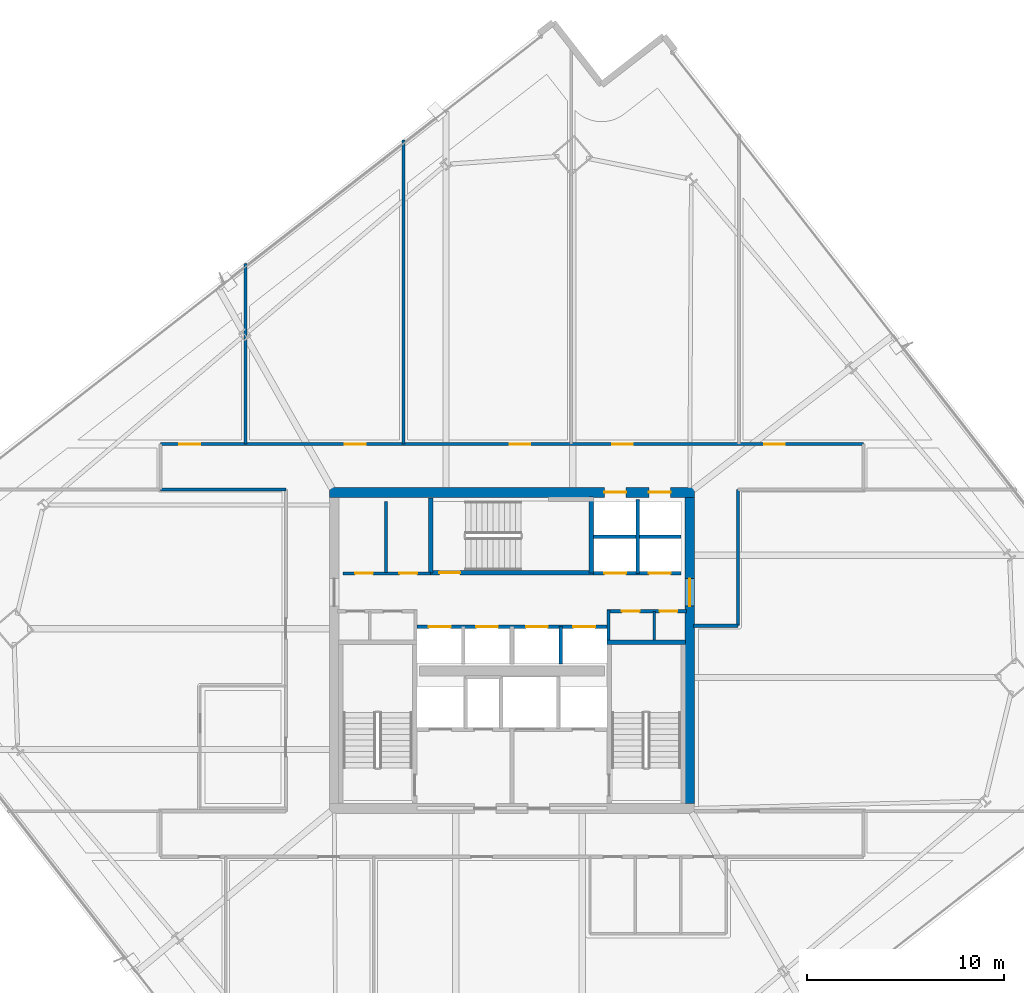
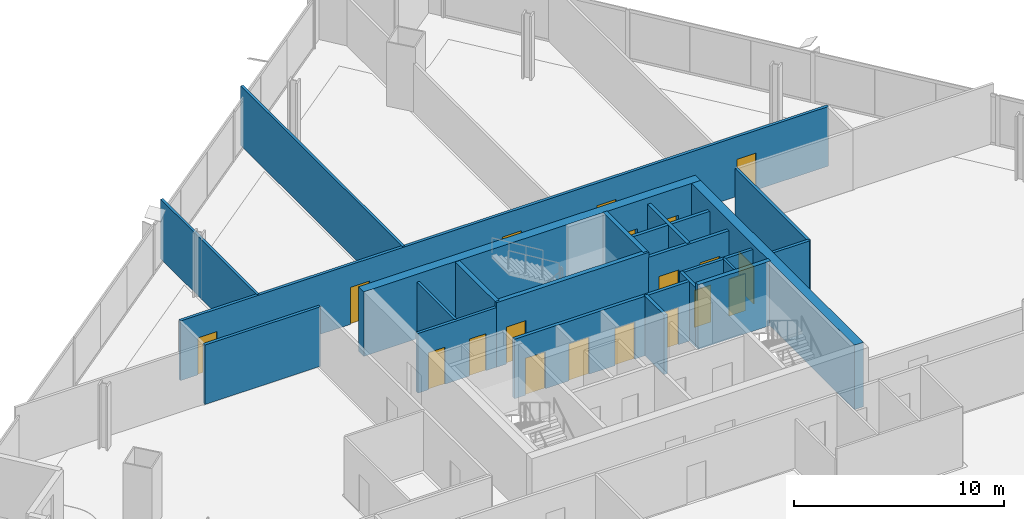
# One storey, part 26 of 32: 22 walls, 19 doors, 19 openings.
"""IFC4 building model written with IfcOpenShell, lengths in metres."""

from ifc_helpers import new_model, si_unit, direction, frame, frame_2d, origin, place, context, subcontext, project, spatial, rectangle, extrude, material, layer, layer_set, type_object, element, fill, save


model = new_model("IFC4")

# Units and contexts
model_context = context("Model", 3, precision=1e-05, world=origin(), true_north=direction((0.0, 1.0)))
body_context = subcontext(model_context, "Body", "Model", "MODEL_VIEW")
ifc_project = project(units=[si_unit("LENGTHUNIT", "METRE"), si_unit("AREAUNIT", "SQUARE_METRE"), si_unit("VOLUMEUNIT", "CUBIC_METRE"), si_unit("PLANEANGLEUNIT", "RADIAN"), si_unit("MASSUNIT", "GRAM", prefix="KILO")], contexts=[model_context])

# Site, building, storey
site_placement = place(None, origin())
site = spatial("IfcSite", under=ifc_project, at=site_placement, CompositionType="ELEMENT")
building_placement = place(site_placement, origin())
building = spatial("IfcBuilding", under=site, at=building_placement, Name="Haldenkirk Collegiate Tower", CompositionType="ELEMENT")
storey_placement = place(building_placement, frame((0.0, 0.0, 155.699951171875)))
storey = spatial("IfcBuildingStorey", under=building, at=storey_placement, Name="L38", CompositionType="ELEMENT", Elevation=155.699951171875)

# Wall, openings, doors
ifc_material_1 = material(Name="Concrete f'c 55 MPa", Category="concrete")
ifc_layer_1 = layer(ifc_material_1, 0.5)
ifc_layer_set_1 = layer_set([ifc_layer_1], Name="Concrete f'c 55 MPa")
wall_type_1 = type_object("IfcWallType", Name="WL-CORE-500", PredefinedType="SHEAR", material=ifc_layer_set_1)
wall_1_placement = place(storey_placement, frame((26.75, 34.0, 0.0), z_axis=(0.0, 0.0, 1.0), x_axis=(1.0, 0.0, 0.0)))
wall_1 = element("IfcWall", 1, at=wall_1_placement, inside=storey, type_object=wall_type_1, Name="L38 central core shear wall N", PredefinedType="SHEAR", context=body_context, shape_type="SweptSolid", body=[
    extrude(rectangle(XDim=18.5, YDim=0.5, at=frame_2d((9.25, 0.0))), origin(), (0.0, 0.0, 1.0), 3.75),
])
opening_1_placement = place(wall_1_placement, frame((13.93505859375, 0.0, 0.0)))
opening_1 = element("IfcOpeningElement", 2, at=opening_1_placement, cuts=wall_1, Name="Opening LD-11", PredefinedType="OPENING", context=body_context, shape_type="SweptSolid", body=[
    extrude(rectangle(XDim=1.10009765625, YDim=2.14990234375, at=frame_2d((0.550048828125, 1.074951171875))), frame((0.0, 0.260009765625, 0.0), z_axis=(0.0, -1.0, 0.0), x_axis=(1.0, 0.0, 0.0)), (0.0, 0.0, 1.0), 0.52001953125),
])
opening_2_placement = place(wall_1_placement, frame((16.18505859375, 0.0, 0.0)))
opening_2 = element("IfcOpeningElement", 3, at=opening_2_placement, cuts=wall_1, Name="Opening LD-11", PredefinedType="OPENING", context=body_context, shape_type="SweptSolid", body=[
    extrude(rectangle(XDim=1.10009765625, YDim=2.14990234375, at=frame_2d((0.550048828125, 1.074951171875))), frame((0.0, 0.260009765625, 0.0), z_axis=(0.0, -1.0, 0.0), x_axis=(1.0, 0.0, 0.0)), (0.0, 0.0, 1.0), 0.52001953125),
])
ifc_material_2 = material(Name="Brushed architectural stainless steel", Category="steel")
ifc_layer_2 = layer(ifc_material_2, 0.06005859375)
ifc_layer_set_2 = layer_set([ifc_layer_2], Name="Brushed architectural stainless steel")
door_type_1 = type_object("IfcDoorType", Name="LD-PASS-1100", OperationType="NOTDEFINED", PredefinedType="DOOR", material=ifc_layer_set_2)
door_1_placement = place(opening_1_placement, origin())
door_1 = element("IfcDoor", 4, at=door_1_placement, inside=storey, type_object=door_type_1, Name="L38 Elevator PM3 sliding landing door", OperationType="SLIDING_TO_LEFT", OverallHeight=2.14990234375, OverallWidth=1.10009765625, PredefinedType="DOOR", context=body_context, shape_type="SweptSolid", body=[
    extrude(rectangle(XDim=1.10009765625, YDim=2.14990234375, at=frame_2d((0.550048828125, 1.074951171875))), frame((0.0, 0.02490234375, 0.0), z_axis=(0.0, -1.0, 0.0), x_axis=(1.0, 0.0, 0.0)), (0.0, 0.0, 1.0), 0.050048828125),
])
fill(opening_1, door_1)
door_2_placement = place(opening_2_placement, origin())
door_2 = element("IfcDoor", 5, at=door_2_placement, inside=storey, type_object=door_type_1, Name="L38 Elevator PM4 sliding landing door", OperationType="SLIDING_TO_LEFT", OverallHeight=2.14990234375, OverallWidth=1.10009765625, PredefinedType="DOOR", context=body_context, shape_type="SweptSolid", body=[
    extrude(rectangle(XDim=1.10009765625, YDim=2.14990234375, at=frame_2d((0.550048828125, 1.074951171875))), frame((0.0, 0.02490234375, 0.0), z_axis=(0.0, -1.0, 0.0), x_axis=(1.0, 0.0, 0.0)), (0.0, 0.0, 1.0), 0.050048828125),
])
fill(opening_2, door_2)

# Wall, opening, door
wall_2_placement = place(storey_placement, frame((45.0, 18.25, 0.0), z_axis=(0.0, 0.0, 1.0), x_axis=(0.0, 1.0, 0.0)))
wall_2 = element("IfcWall", 6, at=wall_2_placement, inside=storey, type_object=wall_type_1, Name="L38 central core shear wall E", PredefinedType="SHEAR", context=body_context, shape_type="SweptSolid", body=[
    extrude(rectangle(XDim=15.5, YDim=0.5, at=frame_2d((7.75, 0.0))), origin(), (0.0, 0.0, 1.0), 3.75),
])
opening_3_placement = place(wall_2_placement, frame((9.989990234375, 0.0, 0.0)))
opening_3 = element("IfcOpeningElement", 7, at=opening_3_placement, cuts=wall_2, Name="Opening D-03", PredefinedType="OPENING", context=body_context, shape_type="SweptSolid", body=[
    extrude(rectangle(XDim=1.39990234375, YDim=2.199951171875, at=frame_2d((0.699951171875, 1.10009765625))), frame((0.0, 0.260009765625, 0.0), z_axis=(0.0, -1.0, 0.0), x_axis=(1.0, 0.0, 0.0)), (0.0, 0.0, 1.0), 0.52001953125),
])
ifc_material_3 = material(Name="Galvanized fire-rated hollow steel door", Category="steel")
ifc_layer_3 = layer(ifc_material_3, 0.06005859375)
ifc_layer_set_3 = layer_set([ifc_layer_3], Name="Galvanized fire-rated hollow steel door")
door_type_2 = type_object("IfcDoorType", Name="DR-LOBBY-FD90-1400", OperationType="NOTDEFINED", PredefinedType="DOOR", material=ifc_layer_set_3)
door_3_placement = place(opening_3_placement, origin())
door_3 = element("IfcDoor", 8, at=door_3_placement, inside=storey, type_object=door_type_2, Name="L38 east lift lobby portal", OperationType="DOUBLE_DOOR_SINGLE_SWING", OverallHeight=2.199951171875, OverallWidth=1.39990234375, PredefinedType="DOOR", context=body_context, shape_type="SweptSolid", body=[
    extrude(rectangle(XDim=1.39990234375, YDim=2.199951171875, at=frame_2d((0.699951171875, 1.10009765625))), frame((0.0, 0.02490234375, 0.0), z_axis=(0.0, -1.0, 0.0), x_axis=(1.0, 0.0, 0.0)), (0.0, 0.0, 1.0), 0.050048828125),
])
fill(opening_3, door_3)

# Wall, openings, doors
ifc_material_4 = material(Name="Acoustic fire-rated gypsum partition", Category="concrete")
ifc_layer_4 = layer(ifc_material_4, 0.159912109375)
ifc_layer_set_4 = layer_set([ifc_layer_4], Name="Acoustic fire-rated gypsum partition")
wall_type_2 = type_object("IfcWallType", Name="WL-INT-CORR-160", PredefinedType="PARTITIONING", material=ifc_layer_set_4)
wall_3_placement = place(storey_placement, frame((40.800048828125, 27.97998046875, 0.0), z_axis=(0.0, 0.0, 1.0), x_axis=(1.0, 0.0, 0.0)))
wall_3 = element("IfcWall", 9, at=wall_3_placement, inside=storey, type_object=wall_type_2, Name="L38 interior partition IW-L38-VCSE-N", PredefinedType="PARTITIONING", context=body_context, shape_type="SweptSolid", body=[
    extrude(rectangle(XDim=4.050048828125, YDim=0.159912109375, at=frame_2d((2.02490234375, 0.0))), origin(), (0.0, 0.0, 1.0), 3.4599609375),
])
opening_4_placement = place(wall_3_placement, frame((0.77001953125, 0.0, 0.0)))
opening_4 = element("IfcOpeningElement", 10, at=opening_4_placement, cuts=wall_3, Name="Opening D-11", PredefinedType="OPENING", context=body_context, shape_type="SweptSolid", body=[
    extrude(rectangle(XDim=0.89990234375, YDim=2.14990234375, at=frame_2d((0.449951171875, 1.074951171875))), frame((0.0, 0.08984375, 0.0), z_axis=(0.0, -1.0, 0.0), x_axis=(1.0, 0.0, 0.0)), (0.0, 0.0, 1.0), 0.179931640625),
])
opening_5_placement = place(wall_3_placement, frame((2.679931640625, 0.0, 0.0)))
opening_5 = element("IfcOpeningElement", 11, at=opening_5_placement, cuts=wall_3, Name="Opening D-11", PredefinedType="OPENING", context=body_context, shape_type="SweptSolid", body=[
    extrude(rectangle(XDim=0.89990234375, YDim=2.14990234375, at=frame_2d((0.449951171875, 1.074951171875))), frame((0.0, 0.08984375, 0.0), z_axis=(0.0, -1.0, 0.0), x_axis=(1.0, 0.0, 0.0)), (0.0, 0.0, 1.0), 0.179931640625),
])
ifc_material_5 = material(Name="Solid-core architectural oak fire door", Category="wood")
ifc_layer_5 = layer(ifc_material_5, 0.06005859375)
ifc_layer_set_5 = layer_set([ifc_layer_5], Name="Solid-core architectural oak fire door")
door_type_3 = type_object("IfcDoorType", Name="DR-INT-FD60-900", OperationType="NOTDEFINED", PredefinedType="DOOR", material=ifc_layer_set_5)
door_4_placement = place(opening_4_placement, origin())
door_4 = element("IfcDoor", 12, at=door_4_placement, inside=storey, type_object=door_type_3, Name="L38 core archive door", OperationType="SINGLE_SWING_RIGHT", OverallHeight=2.14990234375, OverallWidth=0.89990234375, PredefinedType="DOOR", context=body_context, shape_type="SweptSolid", body=[
    extrude(rectangle(XDim=0.89990234375, YDim=2.14990234375, at=frame_2d((0.449951171875, 1.074951171875))), frame((0.0, 0.02490234375, 0.0), z_axis=(0.0, -1.0, 0.0), x_axis=(1.0, 0.0, 0.0)), (0.0, 0.0, 1.0), 0.050048828125),
])
fill(opening_4, door_4)
door_5_placement = place(opening_5_placement, origin())
door_5 = element("IfcDoor", 13, at=door_5_placement, inside=storey, type_object=door_type_3, Name="L38 core telecom door", OperationType="SINGLE_SWING_LEFT", OverallHeight=2.14990234375, OverallWidth=0.89990234375, PredefinedType="DOOR", context=body_context, shape_type="SweptSolid", body=[
    extrude(rectangle(XDim=0.89990234375, YDim=2.14990234375, at=frame_2d((0.449951171875, 1.074951171875))), frame((0.0, 0.02490234375, 0.0), z_axis=(0.0, -1.0, 0.0), x_axis=(1.0, 0.0, 0.0)), (0.0, 0.0, 1.0), 0.050048828125),
])
fill(opening_5, door_5)

# Wall
wall_4_placement = place(storey_placement, frame((40.8798828125, 26.5400390625, 0.0), z_axis=(0.0, 0.0, 1.0), x_axis=(0.0, 1.0, 0.0)))
element("IfcWall", 14, at=wall_4_placement, inside=storey, type_object=wall_type_2, Name="L38 interior partition IW-L38-VCSE-W", PredefinedType="PARTITIONING", context=body_context, shape_type="SweptSolid", body=[
    extrude(rectangle(XDim=1.510009765625, YDim=0.159912109375, at=frame_2d((0.7548828125, 0.0))), origin(), (0.0, 0.0, 1.0), 3.4599609375),
])

# Wall, openings, doors
wall_5_placement = place(storey_placement, frame((27.449951171875, 29.89990234375, 0.0), z_axis=(0.0, 0.0, 1.0), x_axis=(1.0, 0.0, 0.0)))
wall_5 = element("IfcWall", 15, at=wall_5_placement, inside=storey, type_object=wall_type_2, Name="L38 interior partition IW-L38-PLS", PredefinedType="PARTITIONING", context=body_context, shape_type="SweptSolid", body=[
    extrude(rectangle(XDim=4.429931640625, YDim=0.159912109375, at=frame_2d((2.21484375, 0.0))), origin(), (0.0, 0.0, 1.0), 3.4599609375),
])
opening_6_placement = place(wall_5_placement, frame((0.60009765625, 0.0, 0.0)))
opening_6 = element("IfcOpeningElement", 16, at=opening_6_placement, cuts=wall_5, Name="Opening D-11", PredefinedType="OPENING", context=body_context, shape_type="SweptSolid", body=[
    extrude(rectangle(XDim=0.89990234375, YDim=2.14990234375, at=frame_2d((0.449951171875, 1.074951171875))), frame((0.0, 0.08984375, 0.0), z_axis=(0.0, -1.0, 0.0), x_axis=(1.0, 0.0, 0.0)), (0.0, 0.0, 1.0), 0.179931640625),
])
opening_7_placement = place(wall_5_placement, frame((2.85009765625, 0.0, 0.0)))
opening_7 = element("IfcOpeningElement", 17, at=opening_7_placement, cuts=wall_5, Name="Opening D-11", PredefinedType="OPENING", context=body_context, shape_type="SweptSolid", body=[
    extrude(rectangle(XDim=0.89990234375, YDim=2.14990234375, at=frame_2d((0.449951171875, 1.074951171875))), frame((0.0, 0.08984375, 0.0), z_axis=(0.0, -1.0, 0.0), x_axis=(1.0, 0.0, 0.0)), (0.0, 0.0, 1.0), 0.179931640625),
])
door_6_placement = place(opening_6_placement, origin())
door_6 = element("IfcDoor", 18, at=door_6_placement, inside=storey, type_object=door_type_3, Name="L38 tea kitchen door", OperationType="SINGLE_SWING_RIGHT", OverallHeight=2.14990234375, OverallWidth=0.89990234375, PredefinedType="DOOR", context=body_context, shape_type="SweptSolid", body=[
    extrude(rectangle(XDim=0.89990234375, YDim=2.14990234375, at=frame_2d((0.449951171875, 1.074951171875))), frame((0.0, 0.02490234375, 0.0), z_axis=(0.0, -1.0, 0.0), x_axis=(1.0, 0.0, 0.0)), (0.0, 0.0, 1.0), 0.050048828125),
])
fill(opening_6, door_6)
door_7_placement = place(opening_7_placement, origin())
door_7 = element("IfcDoor", 19, at=door_7_placement, inside=storey, type_object=door_type_3, Name="L38 IT room door", OperationType="SINGLE_SWING_LEFT", OverallHeight=2.14990234375, OverallWidth=0.89990234375, PredefinedType="DOOR", context=body_context, shape_type="SweptSolid", body=[
    extrude(rectangle(XDim=0.89990234375, YDim=2.14990234375, at=frame_2d((0.449951171875, 1.074951171875))), frame((0.0, 0.02490234375, 0.0), z_axis=(0.0, -1.0, 0.0), x_axis=(1.0, 0.0, 0.0)), (0.0, 0.0, 1.0), 0.050048828125),
])
fill(opening_7, door_7)

wall_6_placement = place(storey_placement, frame((18.199951171875, 36.449951171875, 0.0), z_axis=(0.0, 0.0, 1.0), x_axis=(1.0, 0.0, 0.0)))
wall_6 = element("IfcWall", 20, at=wall_6_placement, inside=storey, type_object=wall_type_2, Name="L38 interior partition IW-L38-CN", PredefinedType="PARTITIONING", context=body_context, shape_type="SweptSolid", body=[
    extrude(rectangle(XDim=35.60009765625, YDim=0.159912109375, at=frame_2d((17.800048828125, 0.0))), origin(), (0.0, 0.0, 1.0), 3.4599609375),
])
opening_8_placement = place(wall_6_placement, frame((0.95703125, 0.0, 0.0)))
opening_8 = element("IfcOpeningElement", 21, at=opening_8_placement, cuts=wall_6, Name="Opening D-09", PredefinedType="OPENING", context=body_context, shape_type="SweptSolid", body=[
    extrude(rectangle(XDim=1.050048828125, YDim=2.14990234375, at=frame_2d((0.52490234375, 1.074951171875))), frame((0.0, 0.08984375, 0.0), z_axis=(0.0, -1.0, 0.0), x_axis=(1.0, 0.0, 0.0)), (0.0, 0.0, 1.0), 0.179931640625),
])
opening_9_placement = place(wall_6_placement, frame((9.3349609375, 0.0, 0.0)))
opening_9 = element("IfcOpeningElement", 22, at=opening_9_placement, cuts=wall_6, Name="Opening D-09", PredefinedType="OPENING", context=body_context, shape_type="SweptSolid", body=[
    extrude(rectangle(XDim=1.050048828125, YDim=2.14990234375, at=frame_2d((0.52490234375, 1.074951171875))), frame((0.0, 0.08984375, 0.0), z_axis=(0.0, -1.0, 0.0), x_axis=(1.0, 0.0, 0.0)), (0.0, 0.0, 1.0), 0.179931640625),
])
opening_10_placement = place(wall_6_placement, frame((17.675048828125, 0.0, 0.0)))
opening_10 = element("IfcOpeningElement", 23, at=opening_10_placement, cuts=wall_6, Name="Opening D-09", PredefinedType="OPENING", context=body_context, shape_type="SweptSolid", body=[
    extrude(rectangle(XDim=1.050048828125, YDim=2.14990234375, at=frame_2d((0.52490234375, 1.074951171875))), frame((0.0, 0.08984375, 0.0), z_axis=(0.0, -1.0, 0.0), x_axis=(1.0, 0.0, 0.0)), (0.0, 0.0, 1.0), 0.179931640625),
])
opening_11_placement = place(wall_6_placement, frame((22.875, 0.0, 0.0)))
opening_11 = element("IfcOpeningElement", 24, at=opening_11_placement, cuts=wall_6, Name="Opening D-09", PredefinedType="OPENING", context=body_context, shape_type="SweptSolid", body=[
    extrude(rectangle(XDim=1.050048828125, YDim=2.14990234375, at=frame_2d((0.52490234375, 1.074951171875))), frame((0.0, 0.08984375, 0.0), z_axis=(0.0, -1.0, 0.0), x_axis=(1.0, 0.0, 0.0)), (0.0, 0.0, 1.0), 0.179931640625),
])
opening_12_placement = place(wall_6_placement, frame((30.56494140625, 0.0, 0.0)))
opening_12 = element("IfcOpeningElement", 25, at=opening_12_placement, cuts=wall_6, Name="Opening D-09", PredefinedType="OPENING", context=body_context, shape_type="SweptSolid", body=[
    extrude(rectangle(XDim=1.050048828125, YDim=2.14990234375, at=frame_2d((0.52490234375, 1.074951171875))), frame((0.0, 0.08984375, 0.0), z_axis=(0.0, -1.0, 0.0), x_axis=(1.0, 0.0, 0.0)), (0.0, 0.0, 1.0), 0.179931640625),
])
ifc_layer_6 = layer(ifc_material_5, 0.06005859375)
ifc_layer_set_6 = layer_set([ifc_layer_6], Name="Solid-core architectural oak fire door")
door_type_4 = type_object("IfcDoorType", Name="DR-INT-FD60-1050", OperationType="NOTDEFINED", PredefinedType="DOOR", material=ifc_layer_set_6)
door_8_placement = place(opening_8_placement, origin())
door_8 = element("IfcDoor", 26, at=door_8_placement, inside=storey, type_object=door_type_4, Name="L38 Graduate Seminar Room 4 door", OperationType="SINGLE_SWING_RIGHT", OverallHeight=2.14990234375, OverallWidth=1.050048828125, PredefinedType="DOOR", context=body_context, shape_type="SweptSolid", body=[
    extrude(rectangle(XDim=1.050048828125, YDim=2.14990234375, at=frame_2d((0.52490234375, 1.074951171875))), frame((0.0, 0.02490234375, 0.0), z_axis=(0.0, -1.0, 0.0), x_axis=(1.0, 0.0, 0.0)), (0.0, 0.0, 1.0), 0.050048828125),
])
fill(opening_8, door_8)
door_9_placement = place(opening_9_placement, origin())
door_9 = element("IfcDoor", 27, at=door_9_placement, inside=storey, type_object=door_type_4, Name="L38 Moot Court Seminar Room 5 door", OperationType="SINGLE_SWING_LEFT", OverallHeight=2.14990234375, OverallWidth=1.050048828125, PredefinedType="DOOR", context=body_context, shape_type="SweptSolid", body=[
    extrude(rectangle(XDim=1.050048828125, YDim=2.14990234375, at=frame_2d((0.52490234375, 1.074951171875))), frame((0.0, 0.02490234375, 0.0), z_axis=(0.0, -1.0, 0.0), x_axis=(1.0, 0.0, 0.0)), (0.0, 0.0, 1.0), 0.050048828125),
])
fill(opening_9, door_9)
door_10_placement = place(opening_10_placement, origin())
door_10 = element("IfcDoor", 28, at=door_10_placement, inside=storey, type_object=door_type_4, Name="L38 Conference Room 6 door", OperationType="SINGLE_SWING_RIGHT", OverallHeight=2.14990234375, OverallWidth=1.050048828125, PredefinedType="DOOR", context=body_context, shape_type="SweptSolid", body=[
    extrude(rectangle(XDim=1.050048828125, YDim=2.14990234375, at=frame_2d((0.52490234375, 1.074951171875))), frame((0.0, 0.02490234375, 0.0), z_axis=(0.0, -1.0, 0.0), x_axis=(1.0, 0.0, 0.0)), (0.0, 0.0, 1.0), 0.050048828125),
])
fill(opening_10, door_10)
door_11_placement = place(opening_11_placement, origin())
door_11 = element("IfcDoor", 29, at=door_11_placement, inside=storey, type_object=door_type_4, Name="L38 Student Wellness Clinic 7 door", OperationType="SINGLE_SWING_LEFT", OverallHeight=2.14990234375, OverallWidth=1.050048828125, PredefinedType="DOOR", context=body_context, shape_type="SweptSolid", body=[
    extrude(rectangle(XDim=1.050048828125, YDim=2.14990234375, at=frame_2d((0.52490234375, 1.074951171875))), frame((0.0, 0.02490234375, 0.0), z_axis=(0.0, -1.0, 0.0), x_axis=(1.0, 0.0, 0.0)), (0.0, 0.0, 1.0), 0.050048828125),
])
fill(opening_11, door_11)
door_12_placement = place(opening_12_placement, origin())
door_12 = element("IfcDoor", 30, at=door_12_placement, inside=storey, type_object=door_type_4, Name="L38 Academic Counseling Clinic 8 door", OperationType="SINGLE_SWING_RIGHT", OverallHeight=2.14990234375, OverallWidth=1.050048828125, PredefinedType="DOOR", context=body_context, shape_type="SweptSolid", body=[
    extrude(rectangle(XDim=1.050048828125, YDim=2.14990234375, at=frame_2d((0.52490234375, 1.074951171875))), frame((0.0, 0.02490234375, 0.0), z_axis=(0.0, -1.0, 0.0), x_axis=(1.0, 0.0, 0.0)), (0.0, 0.0, 1.0), 0.050048828125),
])
fill(opening_12, door_12)

# Walls
wall_7_placement = place(storey_placement, frame((18.199951171875, 34.14990234375, 0.0), z_axis=(0.0, 0.0, 1.0), x_axis=(1.0, 0.0, 0.0)))
element("IfcWall", 31, at=wall_7_placement, inside=storey, type_object=wall_type_2, Name="L38 interior partition IW-L38-CNW", PredefinedType="PARTITIONING", context=body_context, shape_type="SweptSolid", body=[
    extrude(rectangle(XDim=6.35009765625, YDim=0.159912109375, at=frame_2d((3.175048828125, 0.0))), origin(), (0.0, 0.0, 1.0), 3.4599609375),
])
wall_8_placement = place(storey_placement, frame((47.449951171875, 27.25, 0.0), z_axis=(0.0, 0.0, 1.0), x_axis=(0.0, 1.0, 0.0)))
element("IfcWall", 32, at=wall_8_placement, inside=storey, type_object=wall_type_2, Name="L38 interior partition IW-L38-CE", PredefinedType="PARTITIONING", context=body_context, shape_type="SweptSolid", body=[
    extrude(rectangle(XDim=6.89990234375, YDim=0.159912109375, at=frame_2d((3.449951171875, 0.0))), origin(), (0.0, 0.0, 1.0), 3.4599609375),
])
wall_9_placement = place(storey_placement, frame((45.199951171875, 27.25, 0.0), z_axis=(0.0, 0.0, 1.0), x_axis=(1.0, 0.0, 0.0)))
element("IfcWall", 33, at=wall_9_placement, inside=storey, type_object=wall_type_2, Name="L38 interior partition IW-L38-CES", PredefinedType="PARTITIONING", context=body_context, shape_type="SweptSolid", body=[
    extrude(rectangle(XDim=2.25, YDim=0.159912109375, at=frame_2d((1.125, 0.0))), origin(), (0.0, 0.0, 1.0), 3.4599609375),
])
ifc_layer_7 = layer(ifc_material_4, 0.139892578125)
ifc_layer_set_7 = layer_set([ifc_layer_7], Name="Acoustic fire-rated gypsum partition")
wall_type_3 = type_object("IfcWallType", Name="WL-INT-DIV-140", PredefinedType="PARTITIONING", material=ifc_layer_set_7)
wall_10_placement = place(storey_placement, frame((29.6201171875, 29.949951171875, 0.0), z_axis=(0.0, 0.0, 1.0), x_axis=(0.0, 1.0, 0.0)))
element("IfcWall", 34, at=wall_10_placement, inside=storey, type_object=wall_type_3, Name="L38 interior partition IW-L38-PLDIV", PredefinedType="PARTITIONING", context=body_context, shape_type="SweptSolid", body=[
    extrude(rectangle(XDim=3.60009765625, YDim=0.139892578125, at=frame_2d((1.800048828125, 0.0))), origin(), (0.0, 0.0, 1.0), 3.4599609375),
])
wall_11_placement = place(storey_placement, frame((22.5, 36.449951171875, 0.0), z_axis=(0.0, 0.0, 1.0), x_axis=(0.0, 1.0, 0.0)))
element("IfcWall", 35, at=wall_11_placement, inside=storey, type_object=wall_type_3, Name="L38 interior partition IW-L38-RN1", PredefinedType="PARTITIONING", context=body_context, shape_type="SweptSolid", body=[
    extrude(rectangle(XDim=9.153076171875, YDim=0.139892578125, at=frame_2d((4.57666015625, 0.0))), origin(), (0.0, 0.0, 1.0), 3.4599609375),
])
wall_12_placement = place(storey_placement, frame((30.5, 36.449951171875, 0.0), z_axis=(0.0, 0.0, 1.0), x_axis=(0.0, 1.0, 0.0)))
element("IfcWall", 36, at=wall_12_placement, inside=storey, type_object=wall_type_3, Name="L38 interior partition IW-L38-RN2", PredefinedType="PARTITIONING", context=body_context, shape_type="SweptSolid", body=[
    extrude(rectangle(XDim=15.39208984375, YDim=0.139892578125, at=frame_2d((7.696044921875, 0.0))), origin(), (0.0, 0.0, 1.0), 3.4599609375),
])

# Wall, openings, doors
ifc_material_6 = material(Name="Fire-rated gypsum shaftboard assembly", Category="concrete")
ifc_layer_8 = layer(ifc_material_6, 0.179931640625)
ifc_layer_set_8 = layer_set([ifc_layer_8], Name="Fire-rated gypsum shaftboard assembly")
wall_type_4 = type_object("IfcWallType", Name="WL-INT-SHAFT-180", PredefinedType="PARTITIONING", material=ifc_layer_set_8)
wall_13_placement = place(storey_placement, frame((40.1201171875, 29.89990234375, 0.0), z_axis=(0.0, 0.0, 1.0), x_axis=(1.0, 0.0, 0.0)))
wall_13 = element("IfcWall", 37, at=wall_13_placement, inside=storey, type_object=wall_type_4, Name="L38 interior partition IW-L38-PMS", PredefinedType="PARTITIONING", context=body_context, shape_type="SweptSolid", body=[
    extrude(rectangle(XDim=4.429931640625, YDim=0.179931640625, at=frame_2d((2.21484375, 0.0))), origin(), (0.0, 0.0, 1.0), 3.4599609375),
])
opening_13_placement = place(wall_13_placement, frame((0.56494140625, 0.0, 0.0)))
opening_13 = element("IfcOpeningElement", 38, at=opening_13_placement, cuts=wall_13, Name="Opening LD-11", PredefinedType="OPENING", context=body_context, shape_type="SweptSolid", body=[
    extrude(rectangle(XDim=1.10009765625, YDim=2.14990234375, at=frame_2d((0.550048828125, 1.074951171875))), frame((0.0, 0.099853515625, 0.0), z_axis=(0.0, -1.0, 0.0), x_axis=(1.0, 0.0, 0.0)), (0.0, 0.0, 1.0), 0.199951171875),
])
opening_14_placement = place(wall_13_placement, frame((2.81494140625, 0.0, 0.0)))
opening_14 = element("IfcOpeningElement", 39, at=opening_14_placement, cuts=wall_13, Name="Opening LD-11", PredefinedType="OPENING", context=body_context, shape_type="SweptSolid", body=[
    extrude(rectangle(XDim=1.10009765625, YDim=2.14990234375, at=frame_2d((0.550048828125, 1.074951171875))), frame((0.0, 0.099853515625, 0.0), z_axis=(0.0, -1.0, 0.0), x_axis=(1.0, 0.0, 0.0)), (0.0, 0.0, 1.0), 0.199951171875),
])
door_13_placement = place(opening_13_placement, origin())
door_13 = element("IfcDoor", 40, at=door_13_placement, inside=storey, type_object=door_type_1, Name="L38 Elevator PM1 sliding landing door", OperationType="SLIDING_TO_LEFT", OverallHeight=2.14990234375, OverallWidth=1.10009765625, PredefinedType="DOOR", context=body_context, shape_type="SweptSolid", body=[
    extrude(rectangle(XDim=1.10009765625, YDim=2.14990234375, at=frame_2d((0.550048828125, 1.074951171875))), frame((0.0, 0.02490234375, 0.0), z_axis=(0.0, -1.0, 0.0), x_axis=(1.0, 0.0, 0.0)), (0.0, 0.0, 1.0), 0.050048828125),
])
fill(opening_13, door_13)
door_14_placement = place(opening_14_placement, origin())
door_14 = element("IfcDoor", 41, at=door_14_placement, inside=storey, type_object=door_type_1, Name="L38 Elevator PM2 sliding landing door", OperationType="SLIDING_TO_LEFT", OverallHeight=2.14990234375, OverallWidth=1.10009765625, PredefinedType="DOOR", context=body_context, shape_type="SweptSolid", body=[
    extrude(rectangle(XDim=1.10009765625, YDim=2.14990234375, at=frame_2d((0.550048828125, 1.074951171875))), frame((0.0, 0.02490234375, 0.0), z_axis=(0.0, -1.0, 0.0), x_axis=(1.0, 0.0, 0.0)), (0.0, 0.0, 1.0), 0.050048828125),
])
fill(opening_14, door_14)

# Walls
wall_14_placement = place(storey_placement, frame((40.1201171875, 31.75, 0.0), z_axis=(0.0, 0.0, 1.0), x_axis=(1.0, 0.0, 0.0)))
element("IfcWall", 42, at=wall_14_placement, inside=storey, type_object=wall_type_4, Name="L38 interior partition IW-L38-PMM", PredefinedType="PARTITIONING", context=body_context, shape_type="SweptSolid", body=[
    extrude(rectangle(XDim=4.429931640625, YDim=0.179931640625, at=frame_2d((2.21484375, 0.0))), origin(), (0.0, 0.0, 1.0), 3.4599609375),
])
wall_15_placement = place(storey_placement, frame((42.3701171875, 29.89990234375, 0.0), z_axis=(0.0, 0.0, 1.0), x_axis=(0.0, 1.0, 0.0)))
element("IfcWall", 43, at=wall_15_placement, inside=storey, type_object=wall_type_4, Name="L38 interior partition IW-L38-PMV", PredefinedType="PARTITIONING", context=body_context, shape_type="SweptSolid", body=[
    extrude(rectangle(XDim=3.75, YDim=0.179931640625, at=frame_2d((1.875, 0.0))), origin(), (0.0, 0.0, 1.0), 3.4599609375),
])

# Wall, openings, doors
wall_16_placement = place(storey_placement, frame((31.199951171875, 27.199951171875, 0.0), z_axis=(0.0, 0.0, 1.0), x_axis=(1.0, 0.0, 0.0)))
wall_16 = element("IfcWall", 44, at=wall_16_placement, inside=storey, type_object=wall_type_4, Name="L38 interior partition IW-L38-PHN", PredefinedType="PARTITIONING", context=body_context, shape_type="SweptSolid", body=[
    extrude(rectangle(XDim=9.60009765625, YDim=0.179931640625, at=frame_2d((4.800048828125, 0.0))), origin(), (0.0, 0.0, 1.0), 3.4599609375),
])
opening_15_placement = place(wall_16_placement, frame((0.590087890625, 0.0, 0.0)))
opening_15 = element("IfcOpeningElement", 45, at=opening_15_placement, cuts=wall_16, Name="Opening LD-11", PredefinedType="OPENING", context=body_context, shape_type="SweptSolid", body=[
    extrude(rectangle(XDim=1.10009765625, YDim=2.14990234375, at=frame_2d((0.550048828125, 1.074951171875))), frame((0.0, 0.099853515625, 0.0), z_axis=(0.0, -1.0, 0.0), x_axis=(1.0, 0.0, 0.0)), (0.0, 0.0, 1.0), 0.199951171875),
])
opening_16_placement = place(wall_16_placement, frame((2.989990234375, 0.0, 0.0)))
opening_16 = element("IfcOpeningElement", 46, at=opening_16_placement, cuts=wall_16, Name="Opening LD-11", PredefinedType="OPENING", context=body_context, shape_type="SweptSolid", body=[
    extrude(rectangle(XDim=1.10009765625, YDim=2.14990234375, at=frame_2d((0.550048828125, 1.074951171875))), frame((0.0, 0.099853515625, 0.0), z_axis=(0.0, -1.0, 0.0), x_axis=(1.0, 0.0, 0.0)), (0.0, 0.0, 1.0), 0.199951171875),
])
opening_17_placement = place(wall_16_placement, frame((5.510009765625, 0.0, 0.0)))
opening_17 = element("IfcOpeningElement", 47, at=opening_17_placement, cuts=wall_16, Name="Opening LD-11", PredefinedType="OPENING", context=body_context, shape_type="SweptSolid", body=[
    extrude(rectangle(XDim=1.10009765625, YDim=2.14990234375, at=frame_2d((0.550048828125, 1.074951171875))), frame((0.0, 0.099853515625, 0.0), z_axis=(0.0, -1.0, 0.0), x_axis=(1.0, 0.0, 0.0)), (0.0, 0.0, 1.0), 0.199951171875),
])
opening_18_placement = place(wall_16_placement, frame((7.909912109375, 0.0, 0.0)))
opening_18 = element("IfcOpeningElement", 48, at=opening_18_placement, cuts=wall_16, Name="Opening LD-11", PredefinedType="OPENING", context=body_context, shape_type="SweptSolid", body=[
    extrude(rectangle(XDim=1.10009765625, YDim=2.14990234375, at=frame_2d((0.550048828125, 1.074951171875))), frame((0.0, 0.099853515625, 0.0), z_axis=(0.0, -1.0, 0.0), x_axis=(1.0, 0.0, 0.0)), (0.0, 0.0, 1.0), 0.199951171875),
])
door_15_placement = place(opening_15_placement, origin())
door_15 = element("IfcDoor", 49, at=door_15_placement, inside=storey, type_object=door_type_1, Name="L38 Elevator PH1 sliding landing door", OperationType="SLIDING_TO_LEFT", OverallHeight=2.14990234375, OverallWidth=1.10009765625, PredefinedType="DOOR", context=body_context, shape_type="SweptSolid", body=[
    extrude(rectangle(XDim=1.10009765625, YDim=2.14990234375, at=frame_2d((0.550048828125, 1.074951171875))), frame((0.0, 0.02490234375, 0.0), z_axis=(0.0, -1.0, 0.0), x_axis=(1.0, 0.0, 0.0)), (0.0, 0.0, 1.0), 0.050048828125),
])
fill(opening_15, door_15)
door_16_placement = place(opening_16_placement, origin())
door_16 = element("IfcDoor", 50, at=door_16_placement, inside=storey, type_object=door_type_1, Name="L38 Elevator PH2 sliding landing door", OperationType="SLIDING_TO_LEFT", OverallHeight=2.14990234375, OverallWidth=1.10009765625, PredefinedType="DOOR", context=body_context, shape_type="SweptSolid", body=[
    extrude(rectangle(XDim=1.10009765625, YDim=2.14990234375, at=frame_2d((0.550048828125, 1.074951171875))), frame((0.0, 0.02490234375, 0.0), z_axis=(0.0, -1.0, 0.0), x_axis=(1.0, 0.0, 0.0)), (0.0, 0.0, 1.0), 0.050048828125),
])
fill(opening_16, door_16)
door_17_placement = place(opening_17_placement, origin())
door_17 = element("IfcDoor", 51, at=door_17_placement, inside=storey, type_object=door_type_1, Name="L38 Elevator PH3 sliding landing door", OperationType="SLIDING_TO_LEFT", OverallHeight=2.14990234375, OverallWidth=1.10009765625, PredefinedType="DOOR", context=body_context, shape_type="SweptSolid", body=[
    extrude(rectangle(XDim=1.10009765625, YDim=2.14990234375, at=frame_2d((0.550048828125, 1.074951171875))), frame((0.0, 0.02490234375, 0.0), z_axis=(0.0, -1.0, 0.0), x_axis=(1.0, 0.0, 0.0)), (0.0, 0.0, 1.0), 0.050048828125),
])
fill(opening_17, door_17)
door_18_placement = place(opening_18_placement, origin())
door_18 = element("IfcDoor", 52, at=door_18_placement, inside=storey, type_object=door_type_1, Name="L38 Elevator PH4 sliding landing door", OperationType="SLIDING_TO_LEFT", OverallHeight=2.14990234375, OverallWidth=1.10009765625, PredefinedType="DOOR", context=body_context, shape_type="SweptSolid", body=[
    extrude(rectangle(XDim=1.10009765625, YDim=2.14990234375, at=frame_2d((0.550048828125, 1.074951171875))), frame((0.0, 0.02490234375, 0.0), z_axis=(0.0, -1.0, 0.0), x_axis=(1.0, 0.0, 0.0)), (0.0, 0.0, 1.0), 0.050048828125),
])
fill(opening_18, door_18)

# Walls
wall_17_placement = place(storey_placement, frame((38.4599609375, 25.300048828125, 0.0), z_axis=(0.0, 0.0, 1.0), x_axis=(0.0, 1.0, 0.0)))
element("IfcWall", 53, at=wall_17_placement, inside=storey, type_object=wall_type_4, Name="L38 interior partition IW-L38-PHV3", PredefinedType="PARTITIONING", context=body_context, shape_type="SweptSolid", body=[
    extrude(rectangle(XDim=1.89990234375, YDim=0.179931640625, at=frame_2d((0.949951171875, 0.0))), origin(), (0.0, 0.0, 1.0), 3.4599609375),
])
ifc_layer_9 = layer(ifc_material_4, 0.1201171875)
ifc_layer_set_9 = layer_set([ifc_layer_9], Name="Acoustic fire-rated gypsum partition")
wall_type_5 = type_object("IfcWallType", Name="WL-INT-WET-120", PredefinedType="PARTITIONING", material=ifc_layer_set_9)
wall_18_placement = place(storey_placement, frame((43.199951171875, 26.5400390625, 0.0), z_axis=(0.0, 0.0, 1.0), x_axis=(0.0, 1.0, 0.0)))
element("IfcWall", 54, at=wall_18_placement, inside=storey, type_object=wall_type_5, Name="L38 interior partition IW-L38-VCSE-M", PredefinedType="PARTITIONING", context=body_context, shape_type="SweptSolid", body=[
    extrude(rectangle(XDim=1.43994140625, YDim=0.1201171875, at=frame_2d((0.719970703125, 0.0))), origin(), (0.0, 0.0, 1.0), 3.4599609375),
])
ifc_layer_10 = layer(ifc_material_1, 0.239990234375)
ifc_layer_set_10 = layer_set([ifc_layer_10], Name="Concrete f'c 55 MPa")
wall_type_6 = type_object("IfcWallType", Name="WL-SHAFT-240", PredefinedType="SHEAR", material=ifc_layer_set_10)
wall_19_placement = place(storey_placement, frame((40.81005859375, 26.419921875, 0.0), z_axis=(0.0, 0.0, 1.0), x_axis=(1.0, 0.0, 0.0)))
element("IfcWall", 55, at=wall_19_placement, inside=storey, type_object=wall_type_6, Name="L38 stair shaft shear wall SW-L38-ST2N", PredefinedType="SHEAR", context=body_context, shape_type="SweptSolid", body=[
    extrude(rectangle(XDim=3.97998046875, YDim=0.239990234375, at=frame_2d((1.989990234375, 0.0))), origin(), (0.0, 0.0, 1.0), 3.75),
])

# Wall, opening, door
wall_20_placement = place(storey_placement, frame((31.760009765625, 29.929931640625, 0.0), z_axis=(0.0, 0.0, 1.0), x_axis=(1.0, 0.0, 0.0)))
wall_20 = element("IfcWall", 56, at=wall_20_placement, inside=storey, type_object=wall_type_6, Name="L38 stair shaft shear wall SW-L38-ST3S", PredefinedType="SHEAR", context=body_context, shape_type="SweptSolid", body=[
    extrude(rectangle(XDim=8.3798828125, YDim=0.239990234375, at=frame_2d((4.18994140625, 0.0))), origin(), (0.0, 0.0, 1.0), 3.75),
])
opening_19_placement = place(wall_20_placement, frame((0.56494140625, 0.0, 0.0)))
opening_19 = element("IfcOpeningElement", 57, at=opening_19_placement, cuts=wall_20, Name="Opening D-01", PredefinedType="OPENING", context=body_context, shape_type="SweptSolid", body=[
    extrude(rectangle(XDim=1.050048828125, YDim=2.14990234375, at=frame_2d((0.52490234375, 1.074951171875))), frame((0.0, 0.1298828125, 0.0), z_axis=(0.0, -1.0, 0.0), x_axis=(1.0, 0.0, 0.0)), (0.0, 0.0, 1.0), 0.260009765625),
])
ifc_layer_11 = layer(ifc_material_3, 0.06005859375)
ifc_layer_set_11 = layer_set([ifc_layer_11], Name="Galvanized fire-rated hollow steel door")
door_type_5 = type_object("IfcDoorType", Name="DR-STAIR-FD90-1050", OperationType="NOTDEFINED", PredefinedType="DOOR", material=ifc_layer_set_11)
door_19_placement = place(opening_19_placement, origin())
door_19 = element("IfcDoor", 58, at=door_19_placement, inside=storey, type_object=door_type_5, Name="L38 lift lobby Stair 3 door", OperationType="SINGLE_SWING_RIGHT", OverallHeight=2.14990234375, OverallWidth=1.050048828125, PredefinedType="DOOR", context=body_context, shape_type="SweptSolid", body=[
    extrude(rectangle(XDim=1.050048828125, YDim=2.14990234375, at=frame_2d((0.52490234375, 1.074951171875))), frame((0.0, 0.02490234375, 0.0), z_axis=(0.0, -1.0, 0.0), x_axis=(1.0, 0.0, 0.0)), (0.0, 0.0, 1.0), 0.050048828125),
])
fill(opening_19, door_19)

# Walls
wall_21_placement = place(storey_placement, frame((31.8798828125, 29.929931640625, 0.0), z_axis=(0.0, 0.0, 1.0), x_axis=(0.0, 1.0, 0.0)))
element("IfcWall", 59, at=wall_21_placement, inside=storey, type_object=wall_type_6, Name="L38 stair shaft shear wall SW-L38-ST3W", PredefinedType="SHEAR", context=body_context, shape_type="SweptSolid", body=[
    extrude(rectangle(XDim=3.7900390625, YDim=0.239990234375, at=frame_2d((1.89501953125, 0.0))), origin(), (0.0, 0.0, 1.0), 3.75),
])
wall_22_placement = place(storey_placement, frame((40.02001953125, 29.929931640625, 0.0), z_axis=(0.0, 0.0, 1.0), x_axis=(0.0, 1.0, 0.0)))
element("IfcWall", 60, at=wall_22_placement, inside=storey, type_object=wall_type_6, Name="L38 stair shaft shear wall SW-L38-ST3E", PredefinedType="SHEAR", context=body_context, shape_type="SweptSolid", body=[
    extrude(rectangle(XDim=3.85009765625, YDim=0.239990234375, at=frame_2d((1.925048828125, 0.0))), origin(), (0.0, 0.0, 1.0), 3.75),
])

save(model, "model.ifc")
